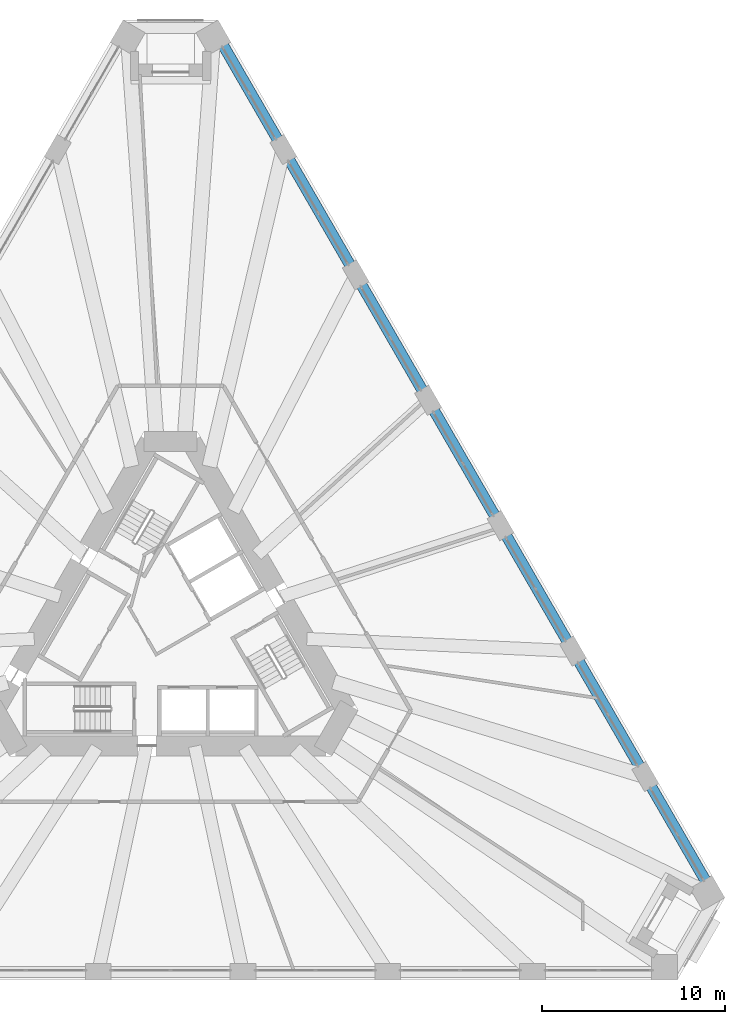
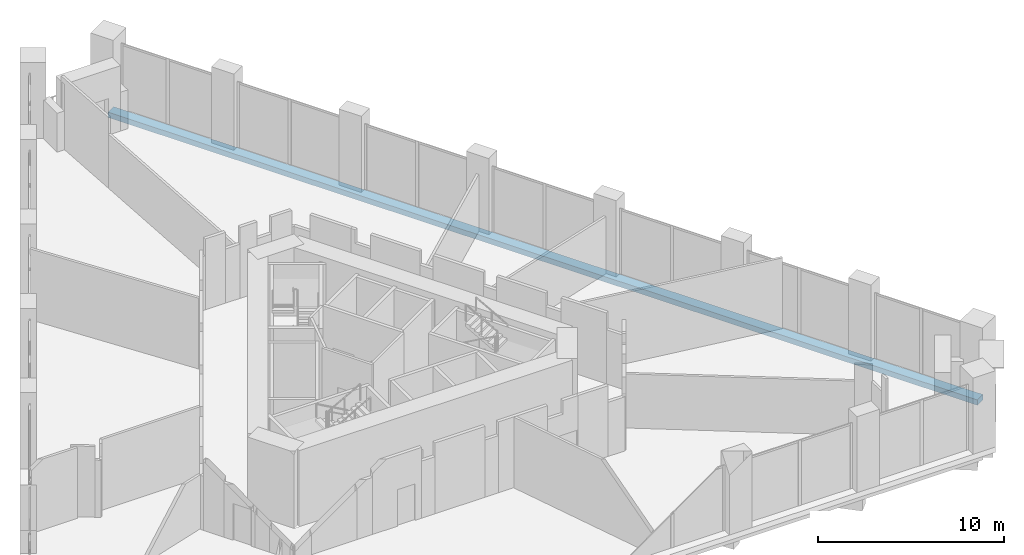
# One storey, part 9 of 20: 1 beam.
"""IFC4 building model written with IfcOpenShell, lengths in metres."""

from ifc_helpers import new_model, si_unit, direction, frame, origin, origin_2d, place, context, subcontext, project, spatial, rectangle, extrude, material, material_profile, profile_set, type_object, element, save


model = new_model("IFC4")

# Units and contexts
model_context = context("Model", 3, precision=1e-05, world=origin(), true_north=direction((0.0, 1.0)))
body_context = subcontext(model_context, "Body", "Model", "MODEL_VIEW")
ifc_project = project(units=[si_unit("LENGTHUNIT", "METRE"), si_unit("AREAUNIT", "SQUARE_METRE"), si_unit("VOLUMEUNIT", "CUBIC_METRE"), si_unit("PLANEANGLEUNIT", "RADIAN"), si_unit("MASSUNIT", "GRAM", prefix="KILO")], contexts=[model_context])

# Site, building, storey
site_placement = place(None, origin())
site = spatial("IfcSite", under=ifc_project, at=site_placement, CompositionType="ELEMENT")
building_placement = place(site_placement, origin())
building = spatial("IfcBuilding", under=site, at=building_placement, Name="Tramontana Tower", CompositionType="ELEMENT")
storey_placement = place(building_placement, frame((0.0, 0.0, 10.0)))
storey = spatial("IfcBuildingStorey", under=building, at=storey_placement, Name="L01", CompositionType="ELEMENT", Elevation=10.0)

# Beam
ifc_material = material(Name="Concrete 40 MPa", Category="concrete")
ifc_material_profile = material_profile(ifc_material, rectangle(XDim=0.60009765625, YDim=0.35009765625, at=origin_2d()), Name="RC EDGE BEAM 600X350 40 MPa")
ifc_profile_set = profile_set([ifc_material_profile], Name="Concrete 40 MPa")
beam_type = type_object("IfcBeamType", Name="RC EDGE BEAM 600X350 40 MPa", PredefinedType="SPANDREL", material=ifc_profile_set)
beam_placement = place(storey_placement, frame((29.5712890625, -14.118896484375, -0.52490234375), z_axis=(-0.500001490283, 0.866024543367, 0.0), x_axis=(-0.866024543367, -0.500001490283, 0.0)))
element("IfcBeam", 1, at=beam_placement, inside=storey, type_object=beam_type, Name="Spandrel beam S2 L01", PredefinedType="SPANDREL", context=body_context, shape_type="SweptSolid", body=[
    extrude(rectangle(XDim=0.60009765625, YDim=0.35009765625, at=origin_2d()), origin(), (0.0, 0.0, 1.0), 54.025634765625),
])

save(model, "model.ifc")
